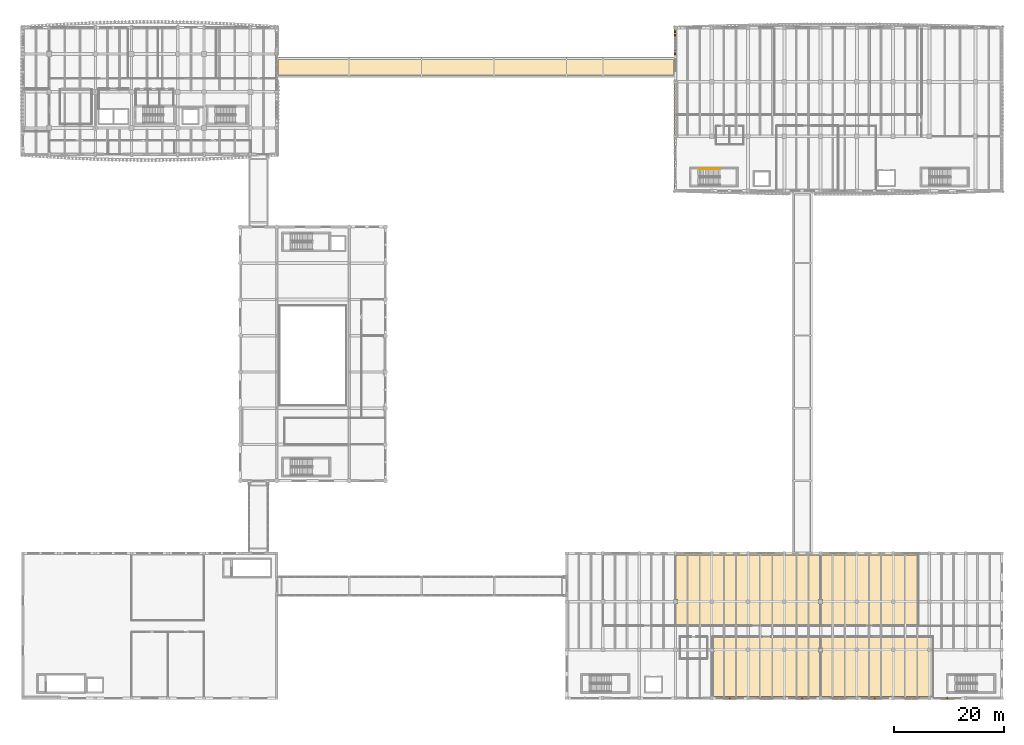
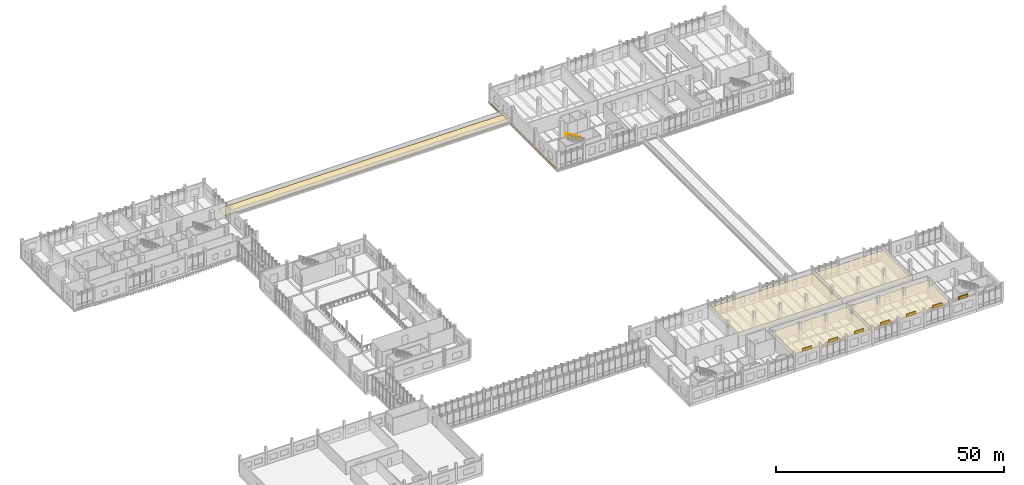
# One storey, part 90 of 101: 7 coverings, 7 shading devices, 1 railing.
"""IFC4 building model written with IfcOpenShell, lengths in metres."""

from ifc_helpers import new_model, si_unit, direction, frame, origin, origin_2d, place, context, subcontext, project, spatial, polyline, rectangle, circle, outline, extrude, material, layer, layer_set, type_object, element, save


model = new_model("IFC4")

# Units and contexts
model_context = context("Model", 3, precision=1e-05, world=origin(), true_north=direction((0.0, 1.0)))
body_context = subcontext(model_context, "Body", "Model", "MODEL_VIEW")
ifc_project = project(units=[si_unit("LENGTHUNIT", "METRE"), si_unit("AREAUNIT", "SQUARE_METRE"), si_unit("VOLUMEUNIT", "CUBIC_METRE"), si_unit("PLANEANGLEUNIT", "RADIAN"), si_unit("MASSUNIT", "GRAM", prefix="KILO")], contexts=[model_context])

# Site, building, storey
site_placement = place(None, origin())
site = spatial("IfcSite", under=ifc_project, at=site_placement, CompositionType="ELEMENT")
building_placement = place(site_placement, origin())
building = spatial("IfcBuilding", under=site, at=building_placement, Name="Dornvale Research Institute", CompositionType="ELEMENT")
storey_placement = place(building_placement, frame((0.0, 0.0, 10.199951171875)))
storey = spatial("IfcBuildingStorey", under=building, at=storey_placement, Name="L02", CompositionType="ELEMENT", Elevation=10.199951171875)

# Coverings
ifc_material_1 = material(Name="Mineral-Fibre Acoustic Lay-In Ceiling Tile System")
ifc_layer_1 = layer(ifc_material_1, 0.02001953125)
ifc_layer_set_1 = layer_set([ifc_layer_1], Name="Mineral-Fibre Acoustic Lay-In Ceiling Tile System")
covering_type_1 = type_object("IfcCoveringType", Name="Covering_Acoustic_Ceiling", PredefinedType="CEILING", material=ifc_layer_set_1)
covering_1_placement = place(storey_placement, frame((0.0, 0.0, 2.85009765625)))
element("IfcCovering", 1, at=covering_1_placement, inside=storey, type_object=covering_type_1, Name="L02 Optical Wafer Inspection Laboratory suspended ceiling", PredefinedType="CEILING", context=body_context, shape_type="SweptSolid", body=[
    extrude(outline(polyline([(145.219970703125, 17.97509765625), (145.219970703125, 26.02490234375), (145.47509765625, 26.02490234375), (145.47509765625, 26.10009765625), (151.52490234375, 26.10009765625), (151.52490234375, 26.02490234375), (152.074951171875, 26.02490234375), (152.074951171875, 26.10009765625), (158.125, 26.10009765625), (158.125, 26.02490234375), (158.675048828125, 26.02490234375), (158.675048828125, 26.10009765625), (162.97998046875, 26.10009765625), (162.97998046875, 13.219970703125), (145.219970703125, 13.219970703125), (145.219970703125, 17.22509765625), (145.574951171875, 17.22509765625), (145.574951171875, 17.97509765625), (145.219970703125, 17.97509765625)])), origin(), (0.0, 0.0, 1.0), 0.02001953125),
])
covering_2_placement = place(storey_placement, frame((0.0, 0.0, 2.85009765625)))
element("IfcCovering", 2, at=covering_2_placement, inside=storey, type_object=covering_type_1, Name="L02 Nanometrology Calibration Suite L02 suspended ceiling", PredefinedType="CEILING", context=body_context, shape_type="SweptSolid", body=[
    extrude(outline(polyline([(158.675048828125, 0.300048828125), (158.675048828125, 0.375), (158.125, 0.375), (158.125, 0.300048828125), (152.074951171875, 0.300048828125), (152.074951171875, 0.375), (151.52490234375, 0.375), (151.52490234375, 0.300048828125), (145.47509765625, 0.300048828125), (145.47509765625, 0.375), (145.219970703125, 0.375), (145.219970703125, 8.425048828125), (145.574951171875, 8.425048828125), (145.574951171875, 9.175048828125), (145.219970703125, 9.175048828125), (145.219970703125, 11.179931640625), (165.679931640625, 11.179931640625), (165.679931640625, 0.300048828125), (165.27490234375, 0.300048828125), (165.27490234375, 0.375), (164.72509765625, 0.375), (164.72509765625, 0.300048828125), (158.675048828125, 0.300048828125)])), origin(), (0.0, 0.0, 1.0), 0.02001953125),
])
ifc_material_2 = material(Name="Flush Cleanroom Aluminum Walk-On HEPA Ceiling Grid", Category="aluminium")
ifc_layer_2 = layer(ifc_material_2, 0.0400390625)
ifc_layer_set_2 = layer_set([ifc_layer_2], Name="Flush Cleanroom Aluminum Walk-On HEPA Ceiling Grid")
covering_type_2 = type_object("IfcCoveringType", Name="Covering_Cleanroom_HEPA_Ceiling", PredefinedType="CEILING", material=ifc_layer_set_2)
covering_3_placement = place(storey_placement, frame((0.0, 0.0, 2.85009765625)))
element("IfcCovering", 3, at=covering_3_placement, inside=storey, type_object=covering_type_2, Name="L02 ISO Class 7 Microfluidics Cleanroom Bay suspended ceiling", PredefinedType="CEILING", context=body_context, shape_type="SweptSolid", body=[
    extrude(outline(polyline([(125.125, 26.10009765625), (125.125, 26.02490234375), (125.675048828125, 26.02490234375), (125.675048828125, 26.10009765625), (131.72509765625, 26.10009765625), (131.72509765625, 26.02490234375), (132.27490234375, 26.02490234375), (132.27490234375, 26.10009765625), (138.324951171875, 26.10009765625), (138.324951171875, 26.02490234375), (138.875, 26.02490234375), (138.875, 26.10009765625), (144.925048828125, 26.10009765625), (144.925048828125, 26.02490234375), (145.179931640625, 26.02490234375), (145.179931640625, 17.97509765625), (144.824951171875, 17.97509765625), (144.824951171875, 17.22509765625), (145.179931640625, 17.22509765625), (145.179931640625, 13.219970703125), (118.820068359375, 13.219970703125), (118.820068359375, 17.22509765625), (119.175048828125, 17.22509765625), (119.175048828125, 17.97509765625), (118.820068359375, 17.97509765625), (118.820068359375, 26.02490234375), (119.074951171875, 26.02490234375), (119.074951171875, 26.10009765625), (125.125, 26.10009765625)])), origin(), (0.0, 0.0, 1.0), 0.0400390625),
])
covering_4_placement = place(storey_placement, frame((0.0, 0.0, 2.85009765625)))
element("IfcCovering", 4, at=covering_4_placement, inside=storey, type_object=covering_type_2, Name="L02 Cleanroom Return-Air Service Chase L02 suspended ceiling", PredefinedType="CEILING", context=body_context, shape_type="SweptSolid", body=[
    extrude(outline(polyline([(131.72509765625, 0.375), (131.72509765625, 0.300048828125), (125.675048828125, 0.300048828125), (125.675048828125, 0.375), (125.6201171875, 0.375), (125.6201171875, 8.425048828125), (125.77490234375, 8.425048828125), (125.77490234375, 9.175048828125), (125.6201171875, 9.175048828125), (125.6201171875, 11.179931640625), (145.179931640625, 11.179931640625), (145.179931640625, 9.175048828125), (144.824951171875, 9.175048828125), (144.824951171875, 8.425048828125), (145.179931640625, 8.425048828125), (145.179931640625, 0.375), (144.925048828125, 0.375), (144.925048828125, 0.300048828125), (138.875, 0.300048828125), (138.875, 0.375), (138.324951171875, 0.375), (138.324951171875, 0.300048828125), (132.27490234375, 0.300048828125), (132.27490234375, 0.375), (131.72509765625, 0.375)])), origin(), (0.0, 0.0, 1.0), 0.0400390625),
])
ifc_material_3 = material(Name="TPO High-Reflectance Cool Roof Membrane and Rigid Insulation")
ifc_layer_3 = layer(ifc_material_3, 0.06005859375)
ifc_layer_set_3 = layer_set([ifc_layer_3], Name="TPO High-Reflectance Cool Roof Membrane and Rigid Insulation")
covering_type_3 = type_object("IfcCoveringType", Name="Covering_CoolRoof_Membrane", PredefinedType="ROOFING", material=ifc_layer_set_3)
covering_5_placement = place(storey_placement, origin())
element("IfcCovering", 5, at=covering_5_placement, inside=storey, type_object=covering_type_3, Name="L02 link bridge BR-5 cool roof membrane", PredefinedType="ROOFING", context=body_context, shape_type="SweptSolid", body=[
    extrude(outline(polyline([(46.43994140625, 113.300048828125), (118.56005859375, 113.300048828125), (118.56005859375, 116.300048828125), (46.43994140625, 116.300048828125), (46.43994140625, 113.300048828125)])), origin(), (0.0, 0.0, 1.0), 0.06005859375),
])
ifc_material_4 = material(Name="Polychrome Glazed Terracotta Visor Rib Ceramic", Category="masonry")
ifc_layer_4 = layer(ifc_material_4, 0.179931640625)
ifc_layer_set_4 = layer_set([ifc_layer_4], Name="Polychrome Glazed Terracotta Visor Rib Ceramic")
covering_type_4 = type_object("IfcCoveringType", Name="Covering_VisorBrim_LowShelf", PredefinedType="CLADDING", material=ifc_layer_set_4)
covering_6_placement = place(storey_placement, frame((0.0, 0.0, -0.260009765625)))
element("IfcCovering", 6, at=covering_6_placement, inside=storey, type_object=covering_type_4, Name="L02 V4 canted bowed-brim visor hood #49", PredefinedType="CLADDING", context=body_context, shape_type="SweptSolid", body=[
    extrude(outline(polyline([(118.860107421875, 117.0), (118.540771484375, 117.0), (118.540771484375, 121.64990234375), (118.860107421875, 121.64990234375), (118.860107421875, 117.0)])), origin(), (0.0, 0.0, 1.0), 0.18017578125),
])
covering_7_placement = place(storey_placement, frame((0.0, 0.0, -0.260009765625)))
element("IfcCovering", 7, at=covering_7_placement, inside=storey, type_object=covering_type_4, Name="L02 V4 canted bowed-brim visor hood #50", PredefinedType="CLADDING", context=body_context, shape_type="SweptSolid", body=[
    extrude(outline(polyline([(118.540771484375, 112.60009765625), (118.860107421875, 112.60009765625), (118.860107421875, 92.85009765625), (118.540771484375, 92.85009765625), (118.540771484375, 112.60009765625)])), origin(), (0.0, 0.0, 1.0), 0.18017578125),
])

# Railing
ifc_material_5 = material(Name="Galvanized Painted Tubular Steel Stair Rail", Category="steel")
ifc_layer_5 = layer(ifc_material_5, 0.044921875)
ifc_layer_set_5 = layer_set([ifc_layer_5], Name="Galvanized Painted Tubular Steel Stair Rail")
railing_type = type_object("IfcRailingType", Name="Railing_Stair_Handrail_900", PredefinedType="HANDRAIL", material=ifc_layer_set_5)
railing_placement = place(storey_placement, frame((126.919921875, 96.35009765625, 2.571533203125)))
element("IfcRailing", 8, at=railing_placement, inside=storey, type_object=railing_type, Name="L02 ST-3 stair handrail 2", PredefinedType="HANDRAIL", context=body_context, shape_type="SweptSolid", body=[
    extrude(circle(Radius=0.02392578125, at=origin_2d()), frame((0.0, 0.0, 0.8759765625), z_axis=(-0.868243142124, 0.0, 0.496138938357), x_axis=(0.0, -1.0, 0.0)), (0.0, 0.0, 1.0), 4.49169921875),
    extrude(circle(Radius=0.02099609375, at=origin_2d()), origin(), (0.0, 0.0, 1.0), 0.851806640625),
    extrude(circle(Radius=0.02099609375, at=origin_2d()), frame((-0.97509765625, 0.0, 0.55712890625)), (0.0, 0.0, 1.0), 0.851806640625),
    extrude(circle(Radius=0.02099609375, at=origin_2d()), frame((-1.949951171875, 0.0, 1.1142578125)), (0.0, 0.0, 1.0), 0.851806640625),
    extrude(circle(Radius=0.02099609375, at=origin_2d()), frame((-2.9248046875, 0.0, 1.67138671875)), (0.0, 0.0, 1.0), 0.851806640625),
    extrude(circle(Radius=0.02099609375, at=origin_2d()), frame((-3.89990234375, 0.0, 2.228515625)), (0.0, 0.0, 1.0), 0.851806640625),
])

# Shading devices
ifc_material_6 = material(Name="Extruded Aluminum Acoustic Intake Louvre", Category="aluminium")
ifc_layer_6 = layer(ifc_material_6, 0.139892578125)
ifc_layer_set_6 = layer_set([ifc_layer_6], Name="Extruded Aluminum Acoustic Intake Louvre")
shading_device_type = type_object("IfcShadingDeviceType", Name="Shading_Acoustic_Louvre", PredefinedType="USERDEFINED", material=ifc_layer_set_6)
for number, where, z_axis, x_axis, name in (
    (9, (128.699951171875, 0.0, 4.02001953125), (0.0, 0.0, 1.0), (1.0, 0.0, 0.0), "L02 V3 extruded aluminum acoustic louvre #30"),
    (10, (135.300048828125, 0.0, 4.02001953125), (0.0, 0.0, 1.0), (1.0, 0.0, 0.0), "L02 V3 extruded aluminum acoustic louvre #31"),
    (11, (141.89990234375, 0.0, 4.02001953125), (0.0, 0.0, 1.0), (1.0, 0.0, 0.0), "L02 V3 extruded aluminum acoustic louvre #32"),
    (12, (148.5, 0.0, 4.02001953125), (0.0, 0.0, 1.0), (1.0, 0.0, 0.0), "L02 V3 extruded aluminum acoustic louvre #33"),
    (13, (155.10009765625, 0.0, 4.02001953125), (0.0, 0.0, 1.0), (1.0, 0.0, 0.0), "L02 V3 extruded aluminum acoustic louvre #34"),
    (14, (161.699951171875, 0.0, 4.02001953125), (0.0, 0.0, 1.0), (1.0, 0.0, 0.0), "L02 V3 extruded aluminum acoustic louvre #35"),
    (15, (168.300048828125, 0.0, 4.02001953125), (0.0, 0.0, 1.0), (1.0, 0.0, 0.0), "L02 V3 extruded aluminum acoustic louvre #36"),
):
    element("IfcShadingDevice", number, at=place(storey_placement, frame(where, z_axis=z_axis, x_axis=x_axis)), inside=storey, type_object=shading_device_type, Name=name, ObjectType="LOUVRE", PredefinedType="USERDEFINED", context=body_context, shape_type="SweptSolid", body=[
        extrude(rectangle(XDim=2.39990234375, YDim=0.280029296875, at=origin_2d()), origin(), (0.0, 0.0, 1.0), 0.719970703125),
    ])

save(model, "model.ifc")
